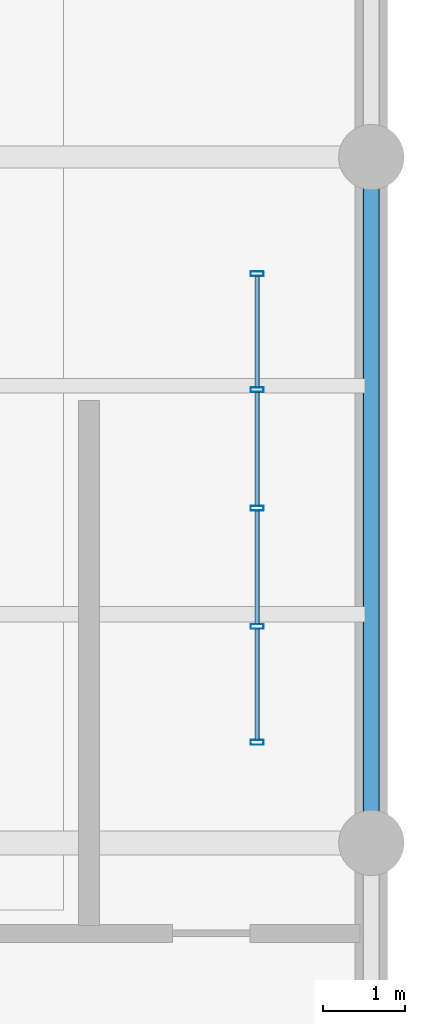
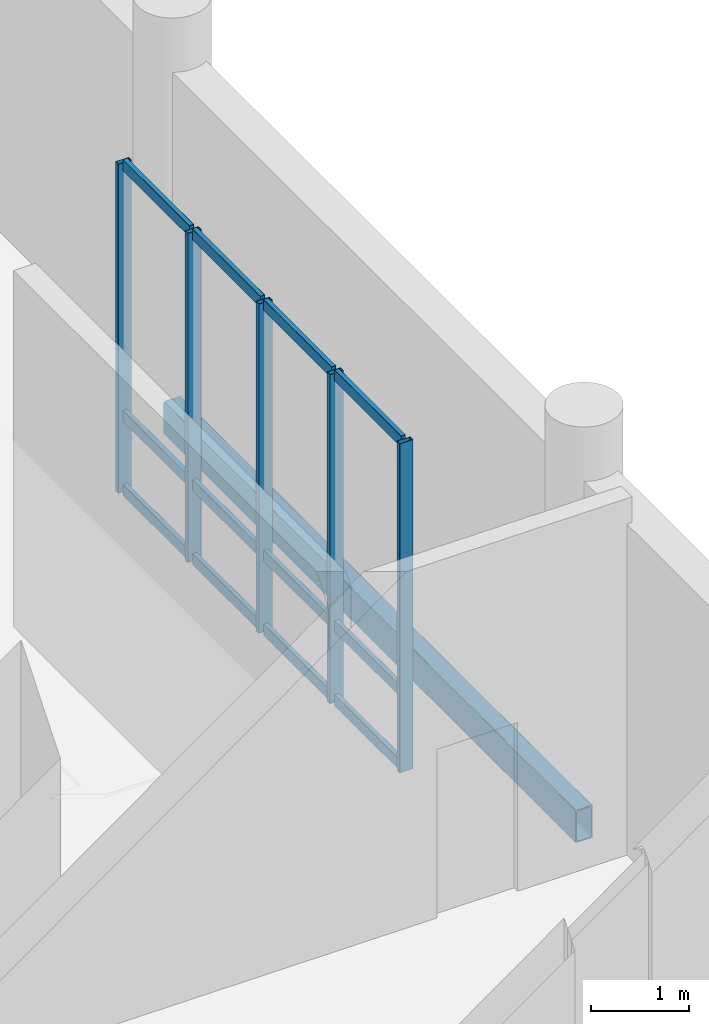
# One storey, part 61 of 109: 17 members, 1 beam, 1 element without a shape of its own.
"""IFC4 building model written with IfcOpenShell, lengths in metres."""

from ifc_helpers import new_model, si_unit, direction, frame, origin_with_axes, origin_2d_with_axis, place, context, subcontext, project, spatial, hollow_rectangle, extrude, material, material_profile, profile_set, type_object, element, aggregate, save


model = new_model("IFC4")

# Units and contexts
model_context = context("Model", 3, precision=1e-05, world=origin_with_axes(), true_north=direction((0.0, 1.0)))
body_context = subcontext(model_context, "Body", "Model", "MODEL_VIEW")
ifc_project = project(units=[si_unit("LENGTHUNIT", "METRE"), si_unit("AREAUNIT", "SQUARE_METRE"), si_unit("VOLUMEUNIT", "CUBIC_METRE"), si_unit("PLANEANGLEUNIT", "RADIAN"), si_unit("MASSUNIT", "GRAM", prefix="KILO"), si_unit("THERMODYNAMICTEMPERATUREUNIT", "KELVIN")], contexts=[model_context])

# Site, building, storey
site_placement = place(None, origin_with_axes())
site = spatial("IfcSite", under=ifc_project, at=site_placement, CompositionType="ELEMENT")
building_placement = place(site_placement, origin_with_axes())
building = spatial("IfcBuilding", under=site, at=building_placement, Name="Montbau Bow Law Courts", CompositionType="ELEMENT")
storey_placement = place(building_placement, frame((0.0, 0.0, 10.8), z_axis=(0.0, 0.0, 1.0), x_axis=(1.0, 0.0, 0.0)))
storey = spatial("IfcBuildingStorey", under=building, at=storey_placement, Name="L02", CompositionType="ELEMENT", Elevation=10.8)

# Beam
ifc_material_1 = material(Name="Steel CSA G40.21 Grade 350WT (350 MPa)", Category="steel")
ifc_material_profile_1 = material_profile(ifc_material_1, hollow_rectangle(XDim=0.203, YDim=0.406, WallThickness=0.0127, InnerFilletRadius=0.0254, OuterFilletRadius=0.0127, at=origin_2d_with_axis()), Name="HSS406X203X13", Category="Main", Priority=0)
ifc_profile_set_1 = profile_set([ifc_material_profile_1], Name="Steel CSA G40.21 Grade 350WT (350 MPa)")
beam_type = type_object("IfcBeamType", Name="B-SPN-01", PredefinedType="SPANDREL", material=ifc_profile_set_1)
beam_placement = place(None, frame((169.4, 30.6, 10.377), z_axis=(0.0, 1.0, 0.0), x_axis=(-1.0, 0.0, 0.0)))
element("IfcBeam", 1, at=beam_placement, inside=storey, type_object=beam_type, Name="SPN-L02-S1621:bm2_1624", PredefinedType="SPANDREL", context=body_context, shape_type="SweptSolid", body=[
    extrude(hollow_rectangle(XDim=0.203, YDim=0.406, WallThickness=0.0127, InnerFilletRadius=0.0254, OuterFilletRadius=0.0127, at=origin_2d_with_axis()), origin_with_axes(), (0.0, 0.0, 1.0), 8.4),
])

# Curtain wall, members
ifc_material_2 = material(Name="Thermally Broken Extruded Aluminium AA 6063-T6", Category="aluminium")
curtain_wall_type = type_object("IfcCurtainWallType", Name="CW-COR-01", PredefinedType="NOTDEFINED", material=ifc_material_2)
curtain_wall_placement = place(None, frame((168.0, 31.8, 10.8), z_axis=(0.0, 0.0, 1.0), x_axis=(1.0, 0.0, 0.0)))
curtain_wall = element("IfcCurtainWall", 2, at=curtain_wall_placement, inside=storey, type_object=curtain_wall_type, Name="CW-L02-413:cw_0413", PredefinedType="NOTDEFINED")
ifc_material_profile_2 = material_profile(ifc_material_2, hollow_rectangle(XDim=0.06, YDim=0.16, WallThickness=0.004, InnerFilletRadius=0.008, OuterFilletRadius=0.004, at=origin_2d_with_axis()), Name="CWM-160X60", Category="Main", Priority=0)
ifc_profile_set_2 = profile_set([ifc_material_profile_2], Name="Thermally Broken Extruded Aluminium AA 6063-T6")
member_type_1 = type_object("IfcMemberType", Name="M-MUL-03", PredefinedType="MULLION", material=ifc_profile_set_2)
member_1_placement = place(None, frame((168.0, 31.83, 10.8), z_axis=(0.0, 0.0, 1.0), x_axis=(0.0, 1.0, 0.0)))
member_1 = element("IfcMember", 3, at=member_1_placement, type_object=member_type_1, Name="CW-L02-413-M01:cw_0413_M01", PredefinedType="MULLION", context=body_context, shape_type="SweptSolid", body=[
    extrude(hollow_rectangle(XDim=0.06, YDim=0.16, WallThickness=0.004, InnerFilletRadius=0.008, OuterFilletRadius=0.004, at=origin_2d_with_axis()), origin_with_axes(), (0.0, 0.0, 1.0), 4.1),
])
member_2_placement = place(None, frame((168.0, 33.25, 10.8), z_axis=(0.0, 0.0, 1.0), x_axis=(0.0, 1.0, 0.0)))
member_2 = element("IfcMember", 4, at=member_2_placement, type_object=member_type_1, Name="CW-L02-413-M02:cw_0413_M02", PredefinedType="MULLION", context=body_context, shape_type="SweptSolid", body=[
    extrude(hollow_rectangle(XDim=0.06, YDim=0.16, WallThickness=0.004, InnerFilletRadius=0.008, OuterFilletRadius=0.004, at=origin_2d_with_axis()), origin_with_axes(), (0.0, 0.0, 1.0), 4.1),
])
member_3_placement = place(None, frame((168.0, 34.7, 10.8), z_axis=(0.0, 0.0, 1.0), x_axis=(0.0, 1.0, 0.0)))
member_3 = element("IfcMember", 5, at=member_3_placement, type_object=member_type_1, Name="CW-L02-413-M03:cw_0413_M03", PredefinedType="MULLION", context=body_context, shape_type="SweptSolid", body=[
    extrude(hollow_rectangle(XDim=0.06, YDim=0.16, WallThickness=0.004, InnerFilletRadius=0.008, OuterFilletRadius=0.004, at=origin_2d_with_axis()), origin_with_axes(), (0.0, 0.0, 1.0), 4.1),
])
member_4_placement = place(None, frame((168.0, 36.15, 10.8), z_axis=(0.0, 0.0, 1.0), x_axis=(0.0, 1.0, 0.0)))
member_4 = element("IfcMember", 6, at=member_4_placement, type_object=member_type_1, Name="CW-L02-413-M04:cw_0413_M04", PredefinedType="MULLION", context=body_context, shape_type="SweptSolid", body=[
    extrude(hollow_rectangle(XDim=0.06, YDim=0.16, WallThickness=0.004, InnerFilletRadius=0.008, OuterFilletRadius=0.004, at=origin_2d_with_axis()), origin_with_axes(), (0.0, 0.0, 1.0), 4.1),
])
member_5_placement = place(None, frame((168.0, 37.57, 10.8), z_axis=(0.0, 0.0, 1.0), x_axis=(0.0, 1.0, 0.0)))
member_5 = element("IfcMember", 7, at=member_5_placement, type_object=member_type_1, Name="CW-L02-413-M05:cw_0413_M05", PredefinedType="MULLION", context=body_context, shape_type="SweptSolid", body=[
    extrude(hollow_rectangle(XDim=0.06, YDim=0.16, WallThickness=0.004, InnerFilletRadius=0.008, OuterFilletRadius=0.004, at=origin_2d_with_axis()), origin_with_axes(), (0.0, 0.0, 1.0), 4.1),
])
ifc_material_profile_3 = material_profile(ifc_material_2, hollow_rectangle(XDim=0.055, YDim=0.14, WallThickness=0.004, InnerFilletRadius=0.008, OuterFilletRadius=0.004, at=origin_2d_with_axis()), Name="CWT-140X55", Category="Main", Priority=0)
ifc_profile_set_3 = profile_set([ifc_material_profile_3], Name="Thermally Broken Extruded Aluminium AA 6063-T6")
member_type_2 = type_object("IfcMemberType", Name="M-TRN-02", PredefinedType="USERDEFINED", material=ifc_profile_set_3)
member_6_placement = place(None, frame((168.0, 31.862, 10.828), z_axis=(0.0, 1.0, 0.0), x_axis=(-1.0, 0.0, 0.0)))
member_6 = element("IfcMember", 8, at=member_6_placement, type_object=member_type_2, Name="CW-L02-413-T01-1:cw_0413_T01_1", ObjectType="TRANSOM", PredefinedType="USERDEFINED", context=body_context, shape_type="SweptSolid", body=[
    extrude(hollow_rectangle(XDim=0.055, YDim=0.14, WallThickness=0.004, InnerFilletRadius=0.008, OuterFilletRadius=0.004, at=origin_2d_with_axis()), origin_with_axes(), (0.0, 0.0, 1.0), 1.356),
])
member_7_placement = place(None, frame((168.0, 31.862, 11.75), z_axis=(0.0, 1.0, 0.0), x_axis=(-1.0, 0.0, 0.0)))
member_7 = element("IfcMember", 9, at=member_7_placement, type_object=member_type_2, Name="CW-L02-413-T01-2:cw_0413_T01_2", ObjectType="TRANSOM", PredefinedType="USERDEFINED", context=body_context, shape_type="SweptSolid", body=[
    extrude(hollow_rectangle(XDim=0.055, YDim=0.14, WallThickness=0.004, InnerFilletRadius=0.008, OuterFilletRadius=0.004, at=origin_2d_with_axis()), origin_with_axes(), (0.0, 0.0, 1.0), 1.356),
])
member_8_placement = place(None, frame((168.0, 31.862, 14.873), z_axis=(0.0, 1.0, 0.0), x_axis=(-1.0, 0.0, 0.0)))
member_8 = element("IfcMember", 10, at=member_8_placement, type_object=member_type_2, Name="CW-L02-413-T01-3:cw_0413_T01_3", ObjectType="TRANSOM", PredefinedType="USERDEFINED", context=body_context, shape_type="SweptSolid", body=[
    extrude(hollow_rectangle(XDim=0.055, YDim=0.14, WallThickness=0.004, InnerFilletRadius=0.008, OuterFilletRadius=0.004, at=origin_2d_with_axis()), origin_with_axes(), (0.0, 0.0, 1.0), 1.356),
])
member_9_placement = place(None, frame((168.0, 33.282, 10.828), z_axis=(0.0, 1.0, 0.0), x_axis=(-1.0, 0.0, 0.0)))
member_9 = element("IfcMember", 11, at=member_9_placement, type_object=member_type_2, Name="CW-L02-413-T02-1:cw_0413_T02_1", ObjectType="TRANSOM", PredefinedType="USERDEFINED", context=body_context, shape_type="SweptSolid", body=[
    extrude(hollow_rectangle(XDim=0.055, YDim=0.14, WallThickness=0.004, InnerFilletRadius=0.008, OuterFilletRadius=0.004, at=origin_2d_with_axis()), origin_with_axes(), (0.0, 0.0, 1.0), 1.386),
])
member_10_placement = place(None, frame((168.0, 33.282, 11.75), z_axis=(0.0, 1.0, 0.0), x_axis=(-1.0, 0.0, 0.0)))
member_10 = element("IfcMember", 12, at=member_10_placement, type_object=member_type_2, Name="CW-L02-413-T02-2:cw_0413_T02_2", ObjectType="TRANSOM", PredefinedType="USERDEFINED", context=body_context, shape_type="SweptSolid", body=[
    extrude(hollow_rectangle(XDim=0.055, YDim=0.14, WallThickness=0.004, InnerFilletRadius=0.008, OuterFilletRadius=0.004, at=origin_2d_with_axis()), origin_with_axes(), (0.0, 0.0, 1.0), 1.386),
])
member_11_placement = place(None, frame((168.0, 33.282, 14.873), z_axis=(0.0, 1.0, 0.0), x_axis=(-1.0, 0.0, 0.0)))
member_11 = element("IfcMember", 13, at=member_11_placement, type_object=member_type_2, Name="CW-L02-413-T02-3:cw_0413_T02_3", ObjectType="TRANSOM", PredefinedType="USERDEFINED", context=body_context, shape_type="SweptSolid", body=[
    extrude(hollow_rectangle(XDim=0.055, YDim=0.14, WallThickness=0.004, InnerFilletRadius=0.008, OuterFilletRadius=0.004, at=origin_2d_with_axis()), origin_with_axes(), (0.0, 0.0, 1.0), 1.386),
])
member_12_placement = place(None, frame((168.0, 34.732, 10.828), z_axis=(0.0, 1.0, 0.0), x_axis=(-1.0, 0.0, 0.0)))
member_12 = element("IfcMember", 14, at=member_12_placement, type_object=member_type_2, Name="CW-L02-413-T03-1:cw_0413_T03_1", ObjectType="TRANSOM", PredefinedType="USERDEFINED", context=body_context, shape_type="SweptSolid", body=[
    extrude(hollow_rectangle(XDim=0.055, YDim=0.14, WallThickness=0.004, InnerFilletRadius=0.008, OuterFilletRadius=0.004, at=origin_2d_with_axis()), origin_with_axes(), (0.0, 0.0, 1.0), 1.386),
])
member_13_placement = place(None, frame((168.0, 34.732, 11.75), z_axis=(0.0, 1.0, 0.0), x_axis=(-1.0, 0.0, 0.0)))
member_13 = element("IfcMember", 15, at=member_13_placement, type_object=member_type_2, Name="CW-L02-413-T03-2:cw_0413_T03_2", ObjectType="TRANSOM", PredefinedType="USERDEFINED", context=body_context, shape_type="SweptSolid", body=[
    extrude(hollow_rectangle(XDim=0.055, YDim=0.14, WallThickness=0.004, InnerFilletRadius=0.008, OuterFilletRadius=0.004, at=origin_2d_with_axis()), origin_with_axes(), (0.0, 0.0, 1.0), 1.386),
])
member_14_placement = place(None, frame((168.0, 34.732, 14.873), z_axis=(0.0, 1.0, 0.0), x_axis=(-1.0, 0.0, 0.0)))
member_14 = element("IfcMember", 16, at=member_14_placement, type_object=member_type_2, Name="CW-L02-413-T03-3:cw_0413_T03_3", ObjectType="TRANSOM", PredefinedType="USERDEFINED", context=body_context, shape_type="SweptSolid", body=[
    extrude(hollow_rectangle(XDim=0.055, YDim=0.14, WallThickness=0.004, InnerFilletRadius=0.008, OuterFilletRadius=0.004, at=origin_2d_with_axis()), origin_with_axes(), (0.0, 0.0, 1.0), 1.386),
])
member_15_placement = place(None, frame((168.0, 36.182, 10.828), z_axis=(0.0, 1.0, 0.0), x_axis=(-1.0, 0.0, 0.0)))
member_15 = element("IfcMember", 17, at=member_15_placement, type_object=member_type_2, Name="CW-L02-413-T04-1:cw_0413_T04_1", ObjectType="TRANSOM", PredefinedType="USERDEFINED", context=body_context, shape_type="SweptSolid", body=[
    extrude(hollow_rectangle(XDim=0.055, YDim=0.14, WallThickness=0.004, InnerFilletRadius=0.008, OuterFilletRadius=0.004, at=origin_2d_with_axis()), origin_with_axes(), (0.0, 0.0, 1.0), 1.356),
])
member_16_placement = place(None, frame((168.0, 36.182, 11.75), z_axis=(0.0, 1.0, 0.0), x_axis=(-1.0, 0.0, 0.0)))
member_16 = element("IfcMember", 18, at=member_16_placement, type_object=member_type_2, Name="CW-L02-413-T04-2:cw_0413_T04_2", ObjectType="TRANSOM", PredefinedType="USERDEFINED", context=body_context, shape_type="SweptSolid", body=[
    extrude(hollow_rectangle(XDim=0.055, YDim=0.14, WallThickness=0.004, InnerFilletRadius=0.008, OuterFilletRadius=0.004, at=origin_2d_with_axis()), origin_with_axes(), (0.0, 0.0, 1.0), 1.356),
])
member_17_placement = place(None, frame((168.0, 36.182, 14.873), z_axis=(0.0, 1.0, 0.0), x_axis=(-1.0, 0.0, 0.0)))
member_17 = element("IfcMember", 19, at=member_17_placement, type_object=member_type_2, Name="CW-L02-413-T04-3:cw_0413_T04_3", ObjectType="TRANSOM", PredefinedType="USERDEFINED", context=body_context, shape_type="SweptSolid", body=[
    extrude(hollow_rectangle(XDim=0.055, YDim=0.14, WallThickness=0.004, InnerFilletRadius=0.008, OuterFilletRadius=0.004, at=origin_2d_with_axis()), origin_with_axes(), (0.0, 0.0, 1.0), 1.356),
])
aggregate(curtain_wall, [member_1, member_2, member_3, member_4, member_5, member_6, member_7, member_8, member_9, member_10, member_11, member_12, member_13, member_14, member_15, member_16, member_17])

save(model, "model.ifc")
